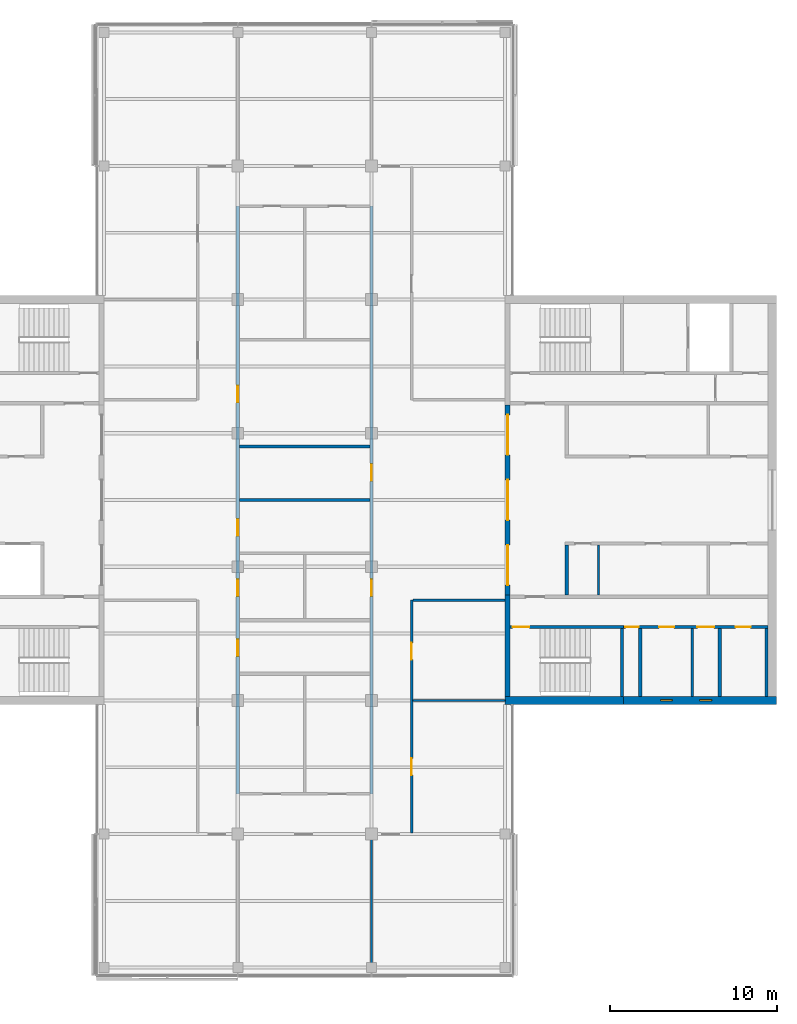
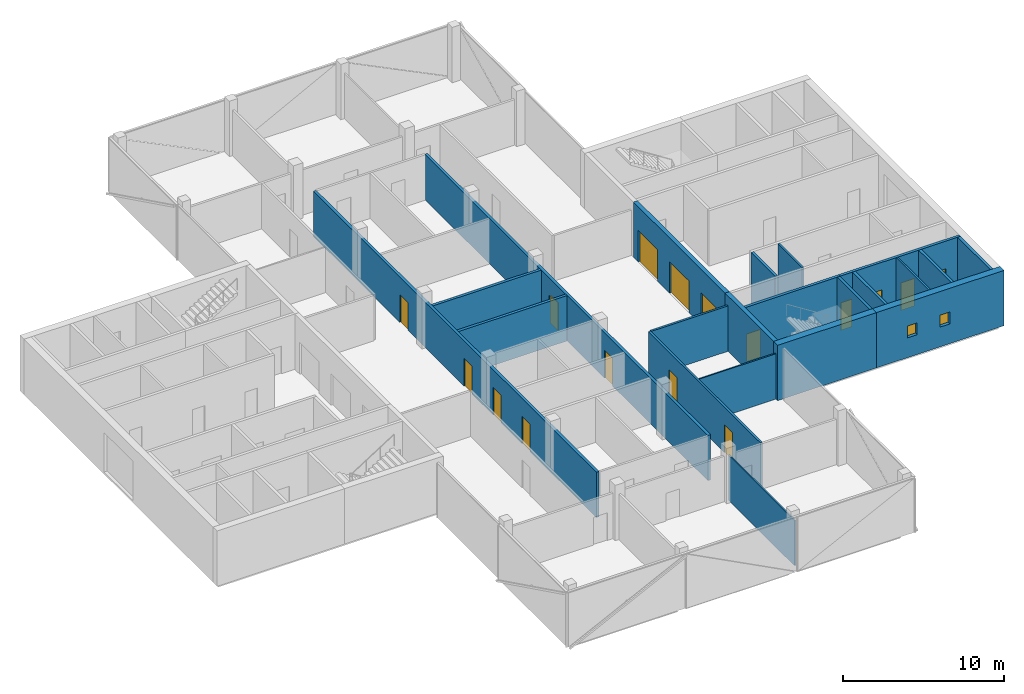
# One storey, part 10 of 16: 21 walls, 16 doors, 2 windows, 18 openings.
"""IFC4 building model written with IfcOpenShell, lengths in metres."""

from ifc_helpers import new_model, si_unit, direction, frame, frame_2d, origin, place, context, subcontext, project, spatial, rectangle, extrude, material, layer, layer_set, constituent, constituent_set, type_object, element, fill, save


model = new_model("IFC4")

# Units and contexts
model_context = context("Model", 3, precision=1e-05, world=origin(), true_north=direction((0.0, 1.0)))
body_context = subcontext(model_context, "Body", "Model", "MODEL_VIEW")
ifc_project = project(units=[si_unit("LENGTHUNIT", "METRE"), si_unit("AREAUNIT", "SQUARE_METRE"), si_unit("VOLUMEUNIT", "CUBIC_METRE"), si_unit("PLANEANGLEUNIT", "RADIAN"), si_unit("MASSUNIT", "GRAM", prefix="KILO")], contexts=[model_context])

# Site, building, storey
site_placement = place(None, origin())
site = spatial("IfcSite", under=ifc_project, at=site_placement, CompositionType="ELEMENT")
building_placement = place(site_placement, origin())
building = spatial("IfcBuilding", under=site, at=building_placement, Name="Crosswind Convention Tower", CompositionType="ELEMENT")
storey_placement = place(building_placement, frame((0.0, 0.0, 253.5)))
storey = spatial("IfcBuildingStorey", under=building, at=storey_placement, Name="L54", CompositionType="ELEMENT", Elevation=253.5)

# Wall
ifc_material_1 = material(Name="Concrete blockwork", Category="masonry")
ifc_layer_1 = layer(ifc_material_1, 0.199951171875)
ifc_layer_set_1 = layer_set([ifc_layer_1], Name="Blockwork partition wall 200")
wall_type_1 = type_object("IfcWallType", Name="Blockwork partition wall 200", PredefinedType="PARTITIONING", material=ifc_layer_set_1)
wall_1_placement = place(storey_placement, frame((145.10009765625, 88.25, 0.0), z_axis=(0.0, 0.0, 1.0), x_axis=(0.0, 1.0, 0.0)))
element("IfcWall", 1, at=wall_1_placement, inside=storey, type_object=wall_type_1, Name="Wall MRSE E L54", PredefinedType="PARTITIONING", context=body_context, shape_type="SweptSolid", body=[
    extrude(rectangle(XDim=4.050048828125, YDim=0.199951171875, at=frame_2d((2.02490234375, 0.0))), origin(), (0.0, 0.0, 1.0), 4.199951171875),
])

# Wall, openings, doors
ifc_layer_2 = layer(ifc_material_1, 0.199951171875)
ifc_layer_set_2 = layer_set([ifc_layer_2], Name="COMPARTMENT WALL 200 BLOCKWORK")
wall_type_2 = type_object("IfcWallType", Name="COMPARTMENT WALL 200 BLOCKWORK", PredefinedType="SOLIDWALL", material=ifc_layer_set_2)
wall_2_placement = place(storey_placement, frame((121.0, 82.39990234375, 0.0), z_axis=(0.0, 0.0, 1.0), x_axis=(0.0, 1.0, 0.0)))
wall_2 = element("IfcWall", 2, at=wall_2_placement, inside=storey, type_object=wall_type_2, Name="Compartment wall WT42", PredefinedType="SOLIDWALL", context=body_context, shape_type="SweptSolid", body=[
    extrude(rectangle(XDim=35.2001953125, YDim=0.199951171875, at=frame_2d((17.60009765625, 0.0))), origin(), (0.0, 0.0, 1.0), 3.44287109375),
])
opening_1_placement = place(wall_2_placement, frame((8.25, 0.0, 0.0)))
opening_1 = element("IfcOpeningElement", 3, at=opening_1_placement, cuts=wall_2, Name="Opening L54-64", PredefinedType="OPENING", context=body_context, shape_type="SweptSolid", body=[
    extrude(rectangle(XDim=1.0, YDim=2.10009765625, at=frame_2d((0.5, 1.050048828125))), frame((0.0, 0.10986328125, 0.0), z_axis=(0.0, -1.0, 0.0), x_axis=(1.0, 0.0, 0.0)), (0.0, 0.0, 1.0), 0.219970703125),
])
opening_2_placement = place(wall_2_placement, frame((11.85009765625, 0.0, 0.0)))
opening_2 = element("IfcOpeningElement", 4, at=opening_2_placement, cuts=wall_2, Name="Opening L54-65", PredefinedType="OPENING", context=body_context, shape_type="SweptSolid", body=[
    extrude(rectangle(XDim=1.0, YDim=2.10009765625, at=frame_2d((0.5, 1.050048828125))), frame((0.0, 0.10986328125, 0.0), z_axis=(0.0, -1.0, 0.0), x_axis=(1.0, 0.0, 0.0)), (0.0, 0.0, 1.0), 0.219970703125),
])
opening_3_placement = place(wall_2_placement, frame((15.449951171875, 0.0, 0.0)))
opening_3 = element("IfcOpeningElement", 5, at=opening_3_placement, cuts=wall_2, Name="Opening L54-67", PredefinedType="OPENING", context=body_context, shape_type="SweptSolid", body=[
    extrude(rectangle(XDim=1.0, YDim=2.10009765625, at=frame_2d((0.5, 1.050048828125))), frame((0.0, 0.10986328125, 0.0), z_axis=(0.0, -1.0, 0.0), x_axis=(1.0, 0.0, 0.0)), (0.0, 0.0, 1.0), 0.219970703125),
])
opening_4_placement = place(wall_2_placement, frame((23.449951171875, 0.0, 0.0)))
opening_4 = element("IfcOpeningElement", 6, at=opening_4_placement, cuts=wall_2, Name="Opening L54-69", PredefinedType="OPENING", context=body_context, shape_type="SweptSolid", body=[
    extrude(rectangle(XDim=1.0, YDim=2.10009765625, at=frame_2d((0.5, 1.050048828125))), frame((0.0, 0.10986328125, 0.0), z_axis=(0.0, -1.0, 0.0), x_axis=(1.0, 0.0, 0.0)), (0.0, 0.0, 1.0), 0.219970703125),
])
ifc_material_2 = material(Name="Steel fire door", Category="steel")
door_type_1 = type_object("IfcDoorType", Name="PLANT ROOM DOOR 1000X2100 FD60", OperationType="NOTDEFINED", PredefinedType="DOOR", material=ifc_material_2)
door_1_placement = place(opening_1_placement, frame((1.0, 0.0, 0.0), z_axis=(0.0, 0.0, 1.0), x_axis=(-1.0, 0.0, 0.0)))
door_1 = element("IfcDoor", 7, at=door_1_placement, inside=storey, type_object=door_type_1, Name="Door L54-64", ObjectType="D43", OperationType="SINGLE_SWING_RIGHT", OverallHeight=2.10009765625, OverallWidth=1.0, PredefinedType="DOOR", context=body_context, shape_type="SweptSolid", body=[
    extrude(rectangle(XDim=1.0, YDim=2.10009765625, at=frame_2d((0.5, 1.050048828125))), frame((0.0, 0.02490234375, 0.0), z_axis=(0.0, -1.0, 0.0), x_axis=(1.0, 0.0, 0.0)), (0.0, 0.0, 1.0), 0.050048828125),
])
fill(opening_1, door_1)
ifc_material_3 = material(Name="Timber fire door", Category="wood")
door_type_2 = type_object("IfcDoorType", Name="TENANCY ENTRANCE DOOR 1000X2100 FD30S", OperationType="NOTDEFINED", PredefinedType="DOOR", material=ifc_material_3)
door_2_placement = place(opening_2_placement, frame((1.0, 0.0, 0.0), z_axis=(0.0, 0.0, 1.0), x_axis=(-1.0, 0.0, 0.0)))
door_2 = element("IfcDoor", 8, at=door_2_placement, inside=storey, type_object=door_type_2, Name="Door L54-65", ObjectType="D41", OperationType="SINGLE_SWING_LEFT", OverallHeight=2.10009765625, OverallWidth=1.0, PredefinedType="DOOR", context=body_context, shape_type="SweptSolid", body=[
    extrude(rectangle(XDim=1.0, YDim=2.10009765625, at=frame_2d((0.5, 1.050048828125))), frame((0.0, 0.02490234375, 0.0), z_axis=(0.0, -1.0, 0.0), x_axis=(1.0, 0.0, 0.0)), (0.0, 0.0, 1.0), 0.050048828125),
])
fill(opening_2, door_2)
door_3_placement = place(opening_3_placement, frame((1.0, 0.0, 0.0), z_axis=(0.0, 0.0, 1.0), x_axis=(-1.0, 0.0, 0.0)))
door_3 = element("IfcDoor", 9, at=door_3_placement, inside=storey, type_object=door_type_2, Name="Door L54-67", ObjectType="D41", OperationType="SINGLE_SWING_RIGHT", OverallHeight=2.10009765625, OverallWidth=1.0, PredefinedType="DOOR", context=body_context, shape_type="SweptSolid", body=[
    extrude(rectangle(XDim=1.0, YDim=2.10009765625, at=frame_2d((0.5, 1.050048828125))), frame((0.0, 0.02490234375, 0.0), z_axis=(0.0, -1.0, 0.0), x_axis=(1.0, 0.0, 0.0)), (0.0, 0.0, 1.0), 0.050048828125),
])
fill(opening_3, door_3)
door_4_placement = place(opening_4_placement, origin())
door_4 = element("IfcDoor", 10, at=door_4_placement, inside=storey, type_object=door_type_2, Name="Door L54-69", ObjectType="D41", OperationType="SINGLE_SWING_LEFT", OverallHeight=2.10009765625, OverallWidth=1.0, PredefinedType="DOOR", context=body_context, shape_type="SweptSolid", body=[
    extrude(rectangle(XDim=1.0, YDim=2.10009765625, at=frame_2d((0.5, 1.050048828125))), frame((0.0, 0.02490234375, 0.0), z_axis=(0.0, -1.0, 0.0), x_axis=(1.0, 0.0, 0.0)), (0.0, 0.0, 1.0), 0.050048828125),
])
fill(opening_4, door_4)

wall_3_placement = place(storey_placement, frame((129.0, 82.39990234375, 0.0), z_axis=(0.0, 0.0, 1.0), x_axis=(0.0, 1.0, 0.0)))
wall_3 = element("IfcWall", 11, at=wall_3_placement, inside=storey, type_object=wall_type_2, Name="Compartment wall WT42", PredefinedType="SOLIDWALL", context=body_context, shape_type="SweptSolid", body=[
    extrude(rectangle(XDim=35.2001953125, YDim=0.199951171875, at=frame_2d((17.60009765625, 0.0))), origin(), (0.0, 0.0, 1.0), 3.44287109375),
])
opening_5_placement = place(wall_3_placement, frame((11.85009765625, 0.0, 0.0)))
opening_5 = element("IfcOpeningElement", 12, at=opening_5_placement, cuts=wall_3, Name="Opening L54-66", PredefinedType="OPENING", context=body_context, shape_type="SweptSolid", body=[
    extrude(rectangle(XDim=1.0, YDim=2.10009765625, at=frame_2d((0.5, 1.050048828125))), frame((0.0, 0.10986328125, 0.0), z_axis=(0.0, -1.0, 0.0), x_axis=(1.0, 0.0, 0.0)), (0.0, 0.0, 1.0), 0.219970703125),
])
opening_6_placement = place(wall_3_placement, frame((18.75, 0.0, 0.0)))
opening_6 = element("IfcOpeningElement", 13, at=opening_6_placement, cuts=wall_3, Name="Opening L54-68", PredefinedType="OPENING", context=body_context, shape_type="SweptSolid", body=[
    extrude(rectangle(XDim=1.0, YDim=2.10009765625, at=frame_2d((0.5, 1.050048828125))), frame((0.0, 0.10986328125, 0.0), z_axis=(0.0, -1.0, 0.0), x_axis=(1.0, 0.0, 0.0)), (0.0, 0.0, 1.0), 0.219970703125),
])
door_5_placement = place(opening_6_placement, origin())
door_5 = element("IfcDoor", 14, at=door_5_placement, inside=storey, type_object=door_type_1, Name="Door L54-68", ObjectType="D43", OperationType="SINGLE_SWING_RIGHT", OverallHeight=2.10009765625, OverallWidth=1.0, PredefinedType="DOOR", context=body_context, shape_type="SweptSolid", body=[
    extrude(rectangle(XDim=1.0, YDim=2.10009765625, at=frame_2d((0.5, 1.050048828125))), frame((0.0, 0.02490234375, 0.0), z_axis=(0.0, -1.0, 0.0), x_axis=(1.0, 0.0, 0.0)), (0.0, 0.0, 1.0), 0.050048828125),
])
fill(opening_6, door_5)
door_6_placement = place(opening_5_placement, origin())
door_6 = element("IfcDoor", 15, at=door_6_placement, inside=storey, type_object=door_type_2, Name="Door L54-66", ObjectType="D41", OperationType="SINGLE_SWING_RIGHT", OverallHeight=2.10009765625, OverallWidth=1.0, PredefinedType="DOOR", context=body_context, shape_type="SweptSolid", body=[
    extrude(rectangle(XDim=1.0, YDim=2.10009765625, at=frame_2d((0.5, 1.050048828125))), frame((0.0, 0.02490234375, 0.0), z_axis=(0.0, -1.0, 0.0), x_axis=(1.0, 0.0, 0.0)), (0.0, 0.0, 1.0), 0.050048828125),
])
fill(opening_5, door_6)

# Walls
for number, where, z_axis, x_axis, name in (
    (16, (121.10009765625, 100.0, 0.0), (0.0, 0.0, 1.0), (1.0, 0.0, 0.0), "Compartment wall WT42"),
    (17, (121.10009765625, 103.199951171875, 0.0), (0.0, 0.0, 1.0), (1.0, 0.0, 0.0), "Compartment wall WT42"),
):
    element("IfcWall", number, at=place(storey_placement, frame(where, z_axis=z_axis, x_axis=x_axis)), inside=storey, type_object=wall_type_2, Name=name, PredefinedType="SOLIDWALL", context=body_context, shape_type="SweptSolid", body=[
        extrude(rectangle(XDim=7.7998046875, YDim=0.199951171875, at=frame_2d((3.89990234375, 0.0))), origin(), (0.0, 0.0, 1.0), 3.44287109375),
    ])

# Wall, openings, doors
ifc_material_4 = material(Name="Concrete C50/60", Category="concrete")
ifc_layer_3 = layer(ifc_material_4, 0.300048828125)
ifc_layer_set_3 = layer_set([ifc_layer_3], Name="Concrete C50/60")
wall_type_3 = type_object("IfcWallType", Name="Concrete inner core wall 300", PredefinedType="SHEAR", material=ifc_layer_set_3)
wall_4_placement = place(storey_placement, frame((137.14990234375, 94.300048828125, 0.0), z_axis=(0.0, 0.0, 1.0), x_axis=(0.0, 1.0, 0.0)))
wall_4 = element("IfcWall", 18, at=wall_4_placement, inside=storey, type_object=wall_type_3, Name="Wall SCR E L54", PredefinedType="SHEAR", context=body_context, shape_type="SweptSolid", body=[
    extrude(rectangle(XDim=11.39990234375, YDim=0.300048828125, at=frame_2d((5.699951171875, 0.0))), origin(), (0.0, 0.0, 1.0), 4.199951171875),
])
opening_7_placement = place(wall_4_placement, frame((0.60009765625, 0.0, 0.0)))
opening_7 = element("IfcOpeningElement", 19, at=opening_7_placement, cuts=wall_4, Name="Opening D100", PredefinedType="OPENING", context=body_context, shape_type="SweptSolid", body=[
    extrude(rectangle(XDim=2.39990234375, YDim=2.39990234375, at=frame_2d((1.199951171875, 1.199951171875))), frame((0.0, 0.159912109375, 0.0), z_axis=(0.0, -1.0, 0.0), x_axis=(1.0, 0.0, 0.0)), (0.0, 0.0, 1.0), 0.320068359375),
])
opening_8_placement = place(wall_4_placement, frame((4.5, 0.0, 0.0)))
opening_8 = element("IfcOpeningElement", 20, at=opening_8_placement, cuts=wall_4, Name="Opening D100", PredefinedType="OPENING", context=body_context, shape_type="SweptSolid", body=[
    extrude(rectangle(XDim=2.39990234375, YDim=2.39990234375, at=frame_2d((1.199951171875, 1.199951171875))), frame((0.0, 0.159912109375, 0.0), z_axis=(0.0, -1.0, 0.0), x_axis=(1.0, 0.0, 0.0)), (0.0, 0.0, 1.0), 0.320068359375),
])
opening_9_placement = place(wall_4_placement, frame((8.39990234375, 0.0, 0.0)))
opening_9 = element("IfcOpeningElement", 21, at=opening_9_placement, cuts=wall_4, Name="Opening D100", PredefinedType="OPENING", context=body_context, shape_type="SweptSolid", body=[
    extrude(rectangle(XDim=2.39990234375, YDim=2.39990234375, at=frame_2d((1.199951171875, 1.199951171875))), frame((0.0, 0.159912109375, 0.0), z_axis=(0.0, -1.0, 0.0), x_axis=(1.0, 0.0, 0.0)), (0.0, 0.0, 1.0), 0.320068359375),
])
ifc_material_5 = material(Name="Steel fire door with glazed vision panels", Category="steel")
door_type_3 = type_object("IfcDoorType", Name="Fire-rated double door 2400x2400", OperationType="DOUBLE_DOOR_SINGLE_SWING", PredefinedType="DOOR", material=ifc_material_5)
door_7_placement = place(opening_7_placement, origin())
door_7 = element("IfcDoor", 22, at=door_7_placement, inside=storey, type_object=door_type_3, Name="Lobby door 1 L54", ObjectType="D100", OperationType="DOUBLE_DOOR_SINGLE_SWING", OverallHeight=2.39990234375, OverallWidth=2.39990234375, PredefinedType="DOOR", context=body_context, shape_type="SweptSolid", body=[
    extrude(rectangle(XDim=2.39990234375, YDim=2.39990234375, at=frame_2d((1.199951171875, 1.199951171875))), frame((0.0, 0.02490234375, 0.0), z_axis=(0.0, -1.0, 0.0), x_axis=(1.0, 0.0, 0.0)), (0.0, 0.0, 1.0), 0.050048828125),
])
fill(opening_7, door_7)
door_8_placement = place(opening_8_placement, origin())
door_8 = element("IfcDoor", 23, at=door_8_placement, inside=storey, type_object=door_type_3, Name="Lobby door 2 L54", ObjectType="D100", OperationType="DOUBLE_DOOR_SINGLE_SWING", OverallHeight=2.39990234375, OverallWidth=2.39990234375, PredefinedType="DOOR", context=body_context, shape_type="SweptSolid", body=[
    extrude(rectangle(XDim=2.39990234375, YDim=2.39990234375, at=frame_2d((1.199951171875, 1.199951171875))), frame((0.0, 0.02490234375, 0.0), z_axis=(0.0, -1.0, 0.0), x_axis=(1.0, 0.0, 0.0)), (0.0, 0.0, 1.0), 0.050048828125),
])
fill(opening_8, door_8)
door_9_placement = place(opening_9_placement, origin())
door_9 = element("IfcDoor", 24, at=door_9_placement, inside=storey, type_object=door_type_3, Name="Lobby door 3 L54", ObjectType="D100", OperationType="DOUBLE_DOOR_SINGLE_SWING", OverallHeight=2.39990234375, OverallWidth=2.39990234375, PredefinedType="DOOR", context=body_context, shape_type="SweptSolid", body=[
    extrude(rectangle(XDim=2.39990234375, YDim=2.39990234375, at=frame_2d((1.199951171875, 1.199951171875))), frame((0.0, 0.02490234375, 0.0), z_axis=(0.0, -1.0, 0.0), x_axis=(1.0, 0.0, 0.0)), (0.0, 0.0, 1.0), 0.050048828125),
])
fill(opening_9, door_9)

# Walls
wall_5_placement = place(storey_placement, frame((137.14990234375, 88.25, 0.0), z_axis=(0.0, 0.0, 1.0), x_axis=(0.0, 1.0, 0.0)))
element("IfcWall", 25, at=wall_5_placement, inside=storey, type_object=wall_type_3, Name="Wall EM E L54", PredefinedType="SHEAR", context=body_context, shape_type="SweptSolid", body=[
    extrude(rectangle(XDim=6.050048828125, YDim=0.300048828125, at=frame_2d((3.02490234375, 0.0))), origin(), (0.0, 0.0, 1.0), 4.199951171875),
])
ifc_layer_4 = layer(ifc_material_4, 0.199951171875)
ifc_layer_set_4 = layer_set([ifc_layer_4], Name="Concrete C50/60")
wall_type_4 = type_object("IfcWallType", Name="Concrete shaft and stair wall 200", PredefinedType="SHEAR", material=ifc_layer_set_4)
wall_6_placement = place(storey_placement, frame((140.699951171875, 94.300048828125, 0.0), z_axis=(0.0, 0.0, 1.0), x_axis=(0.0, 1.0, 0.0)))
element("IfcWall", 26, at=wall_6_placement, inside=storey, type_object=wall_type_4, Name="Wall RMEND E L54", PredefinedType="SHEAR", context=body_context, shape_type="SweptSolid", body=[
    extrude(rectangle(XDim=3.0, YDim=0.199951171875, at=frame_2d((1.5, 0.0))), origin(), (0.0, 0.0, 1.0), 4.199951171875),
])
for number, where, z_axis, x_axis, name in (
    (27, (144.0, 88.25, 0.0), (0.0, 0.0, 1.0), (0.0, 1.0, 0.0), "Wall MSE E L54"),
    (28, (149.85009765625, 88.25, 0.0), (0.0, 0.0, 1.0), (0.0, 1.0, 0.0), "Wall MFSW E L54"),
    (29, (152.64990234375, 88.25, 0.0), (0.0, 0.0, 1.0), (0.0, 1.0, 0.0), "Wall MFSE E L54"),
):
    element("IfcWall", number, at=place(storey_placement, frame(where, z_axis=z_axis, x_axis=x_axis)), inside=storey, type_object=wall_type_4, Name=name, PredefinedType="SHEAR", context=body_context, shape_type="SweptSolid", body=[
        extrude(rectangle(XDim=4.050048828125, YDim=0.199951171875, at=frame_2d((2.02490234375, 0.0))), origin(), (0.0, 0.0, 1.0), 4.199951171875),
    ])

# Wall, opening, door
wall_7_placement = place(storey_placement, frame((137.300048828125, 92.39990234375, 0.0), z_axis=(0.0, 0.0, 1.0), x_axis=(1.0, 0.0, 0.0)))
wall_7 = element("IfcWall", 30, at=wall_7_placement, inside=storey, type_object=wall_type_4, Name="Wall MCW E L54", PredefinedType="SHEAR", context=body_context, shape_type="SweptSolid", body=[
    extrude(rectangle(XDim=6.800048828125, YDim=0.199951171875, at=frame_2d((3.39990234375, 0.0))), origin(), (0.0, 0.0, 1.0), 4.199951171875),
])
opening_10_placement = place(wall_7_placement, frame((0.14990234375, 0.0, 0.0)))
opening_10 = element("IfcOpeningElement", 31, at=opening_10_placement, cuts=wall_7, Name="Opening D103", PredefinedType="OPENING", context=body_context, shape_type="SweptSolid", body=[
    extrude(rectangle(XDim=1.0, YDim=2.10009765625, at=frame_2d((0.5, 1.050048828125))), frame((0.0, 0.10986328125, 0.0), z_axis=(0.0, -1.0, 0.0), x_axis=(1.0, 0.0, 0.0)), (0.0, 0.0, 1.0), 0.219970703125),
])
door_type_4 = type_object("IfcDoorType", Name="Fire-rated single door 1000x2100", OperationType="NOTDEFINED", PredefinedType="DOOR", material=ifc_material_2)
door_10_placement = place(opening_10_placement, frame((1.0, 0.0, 0.0), z_axis=(0.0, 0.0, 1.0), x_axis=(-1.0, 0.0, 0.0)))
door_10 = element("IfcDoor", 32, at=door_10_placement, inside=storey, type_object=door_type_4, Name="Stair ST2 door L54", ObjectType="D103", OperationType="SINGLE_SWING_RIGHT", OverallHeight=2.10009765625, OverallWidth=1.0, PredefinedType="DOOR", context=body_context, shape_type="SweptSolid", body=[
    extrude(rectangle(XDim=1.0, YDim=2.10009765625, at=frame_2d((0.5, 1.050048828125))), frame((0.0, 0.02490234375, 0.0), z_axis=(0.0, -1.0, 0.0), x_axis=(1.0, 0.0, 0.0)), (0.0, 0.0, 1.0), 0.050048828125),
])
fill(opening_10, door_10)

# Wall, openings, doors
wall_8_placement = place(storey_placement, frame((144.10009765625, 92.39990234375, 0.0), z_axis=(0.0, 0.0, 1.0), x_axis=(1.0, 0.0, 0.0)))
wall_8 = element("IfcWall", 33, at=wall_8_placement, inside=storey, type_object=wall_type_4, Name="Wall MCX E L54", PredefinedType="SHEAR", context=body_context, shape_type="SweptSolid", body=[
    extrude(rectangle(XDim=8.64990234375, YDim=0.199951171875, at=frame_2d((4.324951171875, 0.0))), origin(), (0.0, 0.0, 1.0), 4.199951171875),
])
opening_11_placement = place(wall_8_placement, frame((0.10009765625, 0.0, 0.0)))
opening_11 = element("IfcOpeningElement", 34, at=opening_11_placement, cuts=wall_8, Name="Opening D105", PredefinedType="OPENING", context=body_context, shape_type="SweptSolid", body=[
    extrude(rectangle(XDim=0.800048828125, YDim=2.10009765625, at=frame_2d((0.39990234375, 1.050048828125))), frame((0.0, 0.10986328125, 0.0), z_axis=(0.0, -1.0, 0.0), x_axis=(1.0, 0.0, 0.0)), (0.0, 0.0, 1.0), 0.219970703125),
])
opening_12_placement = place(wall_8_placement, frame((2.120361328125, 0.0, 0.0)))
opening_12 = element("IfcOpeningElement", 35, at=opening_12_placement, cuts=wall_8, Name="Opening D106", PredefinedType="OPENING", context=body_context, shape_type="SweptSolid", body=[
    extrude(rectangle(XDim=0.89990234375, YDim=2.10009765625, at=frame_2d((0.449951171875, 1.050048828125))), frame((0.0, 0.10986328125, 0.0), z_axis=(0.0, -1.0, 0.0), x_axis=(1.0, 0.0, 0.0)), (0.0, 0.0, 1.0), 0.219970703125),
])
opening_13_placement = place(wall_8_placement, frame((4.40771484375, 0.0, 0.0)))
opening_13 = element("IfcOpeningElement", 36, at=opening_13_placement, cuts=wall_8, Name="Opening D103", PredefinedType="OPENING", context=body_context, shape_type="SweptSolid", body=[
    extrude(rectangle(XDim=1.0, YDim=2.10009765625, at=frame_2d((0.5, 1.050048828125))), frame((0.0, 0.10986328125, 0.0), z_axis=(0.0, -1.0, 0.0), x_axis=(1.0, 0.0, 0.0)), (0.0, 0.0, 1.0), 0.219970703125),
])
opening_14_placement = place(wall_8_placement, frame((6.699951171875, 0.0, 0.0)))
opening_14 = element("IfcOpeningElement", 37, at=opening_14_placement, cuts=wall_8, Name="Opening D106", PredefinedType="OPENING", context=body_context, shape_type="SweptSolid", body=[
    extrude(rectangle(XDim=0.89990234375, YDim=2.10009765625, at=frame_2d((0.449951171875, 1.050048828125))), frame((0.0, 0.10986328125, 0.0), z_axis=(0.0, -1.0, 0.0), x_axis=(1.0, 0.0, 0.0)), (0.0, 0.0, 1.0), 0.219970703125),
])
door_11_placement = place(opening_13_placement, frame((1.0, 0.0, 0.0), z_axis=(0.0, 0.0, 1.0), x_axis=(-1.0, 0.0, 0.0)))
door_11 = element("IfcDoor", 38, at=door_11_placement, inside=storey, type_object=door_type_4, Name="Door to accessible wc L54", ObjectType="D103", OperationType="SINGLE_SWING_LEFT", OverallHeight=2.10009765625, OverallWidth=1.0, PredefinedType="DOOR", context=body_context, shape_type="SweptSolid", body=[
    extrude(rectangle(XDim=1.0, YDim=2.10009765625, at=frame_2d((0.5, 1.050048828125))), frame((0.0, 0.02490234375, 0.0), z_axis=(0.0, -1.0, 0.0), x_axis=(1.0, 0.0, 0.0)), (0.0, 0.0, 1.0), 0.050048828125),
])
fill(opening_13, door_11)
door_type_5 = type_object("IfcDoorType", Name="Riser access door 800x2100", OperationType="NOTDEFINED", PredefinedType="DOOR", material=ifc_material_2)
door_12_placement = place(opening_11_placement, frame((0.800048828125, 0.0, 0.0), z_axis=(0.0, 0.0, 1.0), x_axis=(-1.0, 0.0, 0.0)))
door_12 = element("IfcDoor", 39, at=door_12_placement, inside=storey, type_object=door_type_5, Name="Riser door L54", ObjectType="D105", OperationType="SINGLE_SWING_LEFT", OverallHeight=2.10009765625, OverallWidth=0.800048828125, PredefinedType="DOOR", context=body_context, shape_type="SweptSolid", body=[
    extrude(rectangle(XDim=0.800048828125, YDim=2.10009765625, at=frame_2d((0.39990234375, 1.050048828125))), frame((0.0, 0.02490234375, 0.0), z_axis=(0.0, -1.0, 0.0), x_axis=(1.0, 0.0, 0.0)), (0.0, 0.0, 1.0), 0.050048828125),
])
fill(opening_11, door_12)
ifc_material_6 = material(Name="Timber door", Category="wood")
door_type_6 = type_object("IfcDoorType", Name="Single leaf door 900x2100", OperationType="NOTDEFINED", PredefinedType="DOOR", material=ifc_material_6)
door_13_placement = place(opening_12_placement, frame((0.89990234375, 0.0, 0.0), z_axis=(0.0, 0.0, 1.0), x_axis=(-1.0, 0.0, 0.0)))
door_13 = element("IfcDoor", 40, at=door_13_placement, inside=storey, type_object=door_type_6, Name="Door to wc L54", ObjectType="D106", OperationType="SINGLE_SWING_LEFT", OverallHeight=2.10009765625, OverallWidth=0.89990234375, PredefinedType="DOOR", context=body_context, shape_type="SweptSolid", body=[
    extrude(rectangle(XDim=0.89990234375, YDim=2.10009765625, at=frame_2d((0.449951171875, 1.050048828125))), frame((0.0, 0.02490234375, 0.0), z_axis=(0.0, -1.0, 0.0), x_axis=(1.0, 0.0, 0.0)), (0.0, 0.0, 1.0), 0.050048828125),
])
fill(opening_12, door_13)
door_14_placement = place(opening_14_placement, frame((0.89990234375, 0.0, 0.0), z_axis=(0.0, 0.0, 1.0), x_axis=(-1.0, 0.0, 0.0)))
door_14 = element("IfcDoor", 41, at=door_14_placement, inside=storey, type_object=door_type_6, Name="Door to accessible wc L54", ObjectType="D106", OperationType="SINGLE_SWING_LEFT", OverallHeight=2.10009765625, OverallWidth=0.89990234375, PredefinedType="DOOR", context=body_context, shape_type="SweptSolid", body=[
    extrude(rectangle(XDim=0.89990234375, YDim=2.10009765625, at=frame_2d((0.449951171875, 1.050048828125))), frame((0.0, 0.02490234375, 0.0), z_axis=(0.0, -1.0, 0.0), x_axis=(1.0, 0.0, 0.0)), (0.0, 0.0, 1.0), 0.050048828125),
])
fill(opening_14, door_14)

# Walls
ifc_material_7 = material(Name="Gypsum plasterboard partition", Category="gypsum")
ifc_layer_5 = layer(ifc_material_7, 0.125)
ifc_layer_set_5 = layer_set([ifc_layer_5], Name="Drywall partition wall 125")
wall_type_5 = type_object("IfcWallType", Name="Drywall partition wall 125", PredefinedType="PARTITIONING", material=ifc_layer_set_5)
wall_9_placement = place(storey_placement, frame((142.592529296875, 94.300048828125, 0.0), z_axis=(0.0, 0.0, 1.0), x_axis=(0.0, 1.0, 0.0)))
element("IfcWall", 42, at=wall_9_placement, inside=storey, type_object=wall_type_5, Name="Wall RMP1 E L54", PredefinedType="PARTITIONING", context=body_context, shape_type="SweptSolid", body=[
    extrude(rectangle(XDim=3.0, YDim=0.125, at=frame_2d((1.5, 0.0))), origin(), (0.0, 0.0, 1.0), 4.199951171875),
])
wall_10_placement = place(storey_placement, frame((148.202880859375, 88.25, 0.0), z_axis=(0.0, 0.0, 1.0), x_axis=(0.0, 1.0, 0.0)))
element("IfcWall", 43, at=wall_10_placement, inside=storey, type_object=wall_type_5, Name="Wall MWP1 E L54", PredefinedType="PARTITIONING", context=body_context, shape_type="SweptSolid", body=[
    extrude(rectangle(XDim=4.050048828125, YDim=0.125, at=frame_2d((2.02490234375, 0.0))), origin(), (0.0, 0.0, 1.0), 4.199951171875),
])
ifc_material_8 = material(Name="Plasterboard partition", Category="gypsum")
ifc_layer_6 = layer(ifc_material_8, 0.10009765625)
ifc_layer_set_6 = layer_set([ifc_layer_6], Name="PARTITION 100 METAL STUD")
wall_type_6 = type_object("IfcWallType", Name="PARTITION 100 METAL STUD", PredefinedType="PARTITIONING", material=ifc_layer_set_6)
wall_11_placement = place(storey_placement, frame((129.0, 71.72998046875, 0.0), z_axis=(0.0, 0.0, 1.0), x_axis=(0.0, 1.0, 0.0)))
element("IfcWall", 44, at=wall_11_placement, inside=storey, type_object=wall_type_6, Name="Partition wall WT40", PredefinedType="PARTITIONING", context=body_context, shape_type="SweptSolid", body=[
    extrude(rectangle(XDim=8.195068359375, YDim=0.10009765625, at=frame_2d((4.09765625, 0.0))), origin(), (0.0, 0.0, 1.0), 3.44287109375),
])
wall_12_placement = place(storey_placement, frame((131.47509765625, 88.0, 0.0), z_axis=(0.0, 0.0, 1.0), x_axis=(1.0, 0.0, 0.0)))
element("IfcWall", 45, at=wall_12_placement, inside=storey, type_object=wall_type_6, Name="Partition wall WT40", PredefinedType="PARTITIONING", context=body_context, shape_type="SweptSolid", body=[
    extrude(rectangle(XDim=5.52490234375, YDim=0.10009765625, at=frame_2d((2.762451171875, 0.0))), origin(), (0.0, 0.0, 1.0), 3.44287109375),
])

# Wall, openings, doors
ifc_material_9 = material(Name="Fire-board partition with mineral wool", Category="gypsum")
ifc_layer_7 = layer(ifc_material_9, 0.14990234375)
ifc_layer_set_7 = layer_set([ifc_layer_7], Name="TENANCY WALL 150 TWO-HOUR BOARD")
wall_type_7 = type_object("IfcWallType", Name="TENANCY WALL 150 TWO-HOUR BOARD", PredefinedType="PARTITIONING", material=ifc_layer_set_7)
wall_13_placement = place(storey_placement, frame((131.39990234375, 80.074951171875, 0.0), z_axis=(0.0, 0.0, 1.0), x_axis=(0.0, 1.0, 0.0)))
wall_13 = element("IfcWall", 46, at=wall_13_placement, inside=storey, type_object=wall_type_7, Name="Tenancy wall WT41", PredefinedType="PARTITIONING", context=body_context, shape_type="SweptSolid", body=[
    extrude(rectangle(XDim=13.925048828125, YDim=0.14990234375, at=frame_2d((6.96240234375, 0.0))), origin(), (0.0, 0.0, 1.0), 3.44287109375),
])
opening_15_placement = place(wall_13_placement, frame((10.375, 0.0, 0.0)))
opening_15 = element("IfcOpeningElement", 47, at=opening_15_placement, cuts=wall_13, Name="Opening L54-51", PredefinedType="OPENING", context=body_context, shape_type="SweptSolid", body=[
    extrude(rectangle(XDim=1.0, YDim=2.10009765625, at=frame_2d((0.5, 1.050048828125))), frame((0.0, 0.0849609375, 0.0), z_axis=(0.0, -1.0, 0.0), x_axis=(1.0, 0.0, 0.0)), (0.0, 0.0, 1.0), 0.169921875),
])
opening_16_placement = place(wall_13_placement, frame((3.449951171875, 0.0, 0.0)))
opening_16 = element("IfcOpeningElement", 48, at=opening_16_placement, cuts=wall_13, Name="Opening L54-52", PredefinedType="OPENING", context=body_context, shape_type="SweptSolid", body=[
    extrude(rectangle(XDim=1.0, YDim=2.10009765625, at=frame_2d((0.5, 1.050048828125))), frame((0.0, 0.0849609375, 0.0), z_axis=(0.0, -1.0, 0.0), x_axis=(1.0, 0.0, 0.0)), (0.0, 0.0, 1.0), 0.169921875),
])
door_15_placement = place(opening_15_placement, frame((1.0, 0.0, 0.0), z_axis=(0.0, 0.0, 1.0), x_axis=(-1.0, 0.0, 0.0)))
door_15 = element("IfcDoor", 49, at=door_15_placement, inside=storey, type_object=door_type_2, Name="Door L54-51", ObjectType="D41", OperationType="SINGLE_SWING_RIGHT", OverallHeight=2.10009765625, OverallWidth=1.0, PredefinedType="DOOR", context=body_context, shape_type="SweptSolid", body=[
    extrude(rectangle(XDim=1.0, YDim=2.10009765625, at=frame_2d((0.5, 1.050048828125))), frame((0.0, 0.02490234375, 0.0), z_axis=(0.0, -1.0, 0.0), x_axis=(1.0, 0.0, 0.0)), (0.0, 0.0, 1.0), 0.050048828125),
])
fill(opening_15, door_15)
door_16_placement = place(opening_16_placement, frame((1.0, 0.0, 0.0), z_axis=(0.0, 0.0, 1.0), x_axis=(-1.0, 0.0, 0.0)))
door_16 = element("IfcDoor", 50, at=door_16_placement, inside=storey, type_object=door_type_2, Name="Door L54-52", ObjectType="D41", OperationType="SINGLE_SWING_LEFT", OverallHeight=2.10009765625, OverallWidth=1.0, PredefinedType="DOOR", context=body_context, shape_type="SweptSolid", body=[
    extrude(rectangle(XDim=1.0, YDim=2.10009765625, at=frame_2d((0.5, 1.050048828125))), frame((0.0, 0.02490234375, 0.0), z_axis=(0.0, -1.0, 0.0), x_axis=(1.0, 0.0, 0.0)), (0.0, 0.0, 1.0), 0.050048828125),
])
fill(opening_16, door_16)

# Walls
wall_14_placement = place(storey_placement, frame((131.47509765625, 94.0, 0.0), z_axis=(0.0, 0.0, 1.0), x_axis=(1.0, 0.0, 0.0)))
element("IfcWall", 51, at=wall_14_placement, inside=storey, type_object=wall_type_7, Name="Tenancy wall WT41", PredefinedType="PARTITIONING", context=body_context, shape_type="SweptSolid", body=[
    extrude(rectangle(XDim=5.52490234375, YDim=0.14990234375, at=frame_2d((2.762451171875, 0.0))), origin(), (0.0, 0.0, 1.0), 3.44287109375),
])
ifc_material_10 = material(Name="Concrete C60/75", Category="concrete")
ifc_constituent_1 = constituent(ifc_material_10, Name="Structure")
ifc_material_11 = material(Name="Terracotta rainscreen", Category="ceramic")
ifc_constituent_2 = constituent(ifc_material_11, Name="Facing")
ifc_constituent_set = constituent_set(constituents=[ifc_constituent_1, ifc_constituent_2], Name="Concrete C60/75, Terracotta rainscreen")
wall_type_8 = type_object("IfcWallType", Name="Terracotta rainscreen on concrete core wall 500", PredefinedType="SHEAR", material=ifc_constituent_set)
wall_15_placement = place(storey_placement, frame((137.0, 88.0, 0.0), z_axis=(0.0, 0.0, 1.0), x_axis=(1.0, 0.0, 0.0)))
element("IfcWall", 52, at=wall_15_placement, inside=storey, type_object=wall_type_8, Name="Wall S1 E L54", PredefinedType="SHEAR", context=body_context, shape_type="SweptSolid", body=[
    extrude(rectangle(XDim=7.10009765625, YDim=0.5, at=frame_2d((3.550048828125, 0.0))), origin(), (0.0, 0.0, 1.0), 4.199951171875),
])

# Wall, openings, windows
wall_16_placement = place(storey_placement, frame((144.10009765625, 88.0, 0.0), z_axis=(0.0, 0.0, 1.0), x_axis=(1.0, 0.0, 0.0)))
wall_16 = element("IfcWall", 53, at=wall_16_placement, inside=storey, type_object=wall_type_8, Name="Wall S2 E L54", PredefinedType="SHEAR", context=body_context, shape_type="SweptSolid", body=[
    extrude(rectangle(XDim=9.14990234375, YDim=0.5, at=frame_2d((4.574951171875, 0.0))), origin(), (0.0, 0.0, 1.0), 4.199951171875),
])
opening_17_placement = place(wall_16_placement, frame((2.22021484375, 0.0, 1.5)))
opening_17 = element("IfcOpeningElement", 54, at=opening_17_placement, cuts=wall_16, Name="Opening W2", PredefinedType="OPENING", context=body_context, shape_type="SweptSolid", body=[
    extrude(rectangle(XDim=0.699951171875, YDim=0.89990234375, at=frame_2d((0.35009765625, 0.449951171875))), frame((0.0, 0.260009765625, 0.0), z_axis=(0.0, -1.0, 0.0), x_axis=(1.0, 0.0, 0.0)), (0.0, 0.0, 1.0), 0.52001953125),
])
opening_18_placement = place(wall_16_placement, frame((4.557861328125, 0.0, 1.5)))
opening_18 = element("IfcOpeningElement", 55, at=opening_18_placement, cuts=wall_16, Name="Opening W2", PredefinedType="OPENING", context=body_context, shape_type="SweptSolid", body=[
    extrude(rectangle(XDim=0.699951171875, YDim=0.89990234375, at=frame_2d((0.35009765625, 0.449951171875))), frame((0.0, 0.260009765625, 0.0), z_axis=(0.0, -1.0, 0.0), x_axis=(1.0, 0.0, 0.0)), (0.0, 0.0, 1.0), 0.52001953125),
])
ifc_material_12 = material(Name="Obscure glass in aluminium frame", Category="aluminium")
window_type = type_object("IfcWindowType", Name="WC window 700x900", PartitioningType="SINGLE_PANEL", PredefinedType="WINDOW", material=ifc_material_12)
window_1_placement = place(opening_17_placement, origin())
window_1 = element("IfcWindow", 56, at=window_1_placement, inside=storey, type_object=window_type, Name="WC window L54", ObjectType="W2", OverallHeight=0.89990234375, OverallWidth=0.699951171875, PartitioningType="SINGLE_PANEL", PredefinedType="WINDOW", context=body_context, shape_type="SweptSolid", body=[
    extrude(rectangle(XDim=0.699951171875, YDim=0.89990234375, at=frame_2d((0.35009765625, 0.449951171875))), frame((0.0, 0.030029296875, 0.0), z_axis=(0.0, -1.0, 0.0), x_axis=(1.0, 0.0, 0.0)), (0.0, 0.0, 1.0), 0.06005859375),
])
fill(opening_17, window_1)
window_2_placement = place(opening_18_placement, origin())
window_2 = element("IfcWindow", 57, at=window_2_placement, inside=storey, type_object=window_type, Name="WC window L54", ObjectType="W2", OverallHeight=0.89990234375, OverallWidth=0.699951171875, PartitioningType="SINGLE_PANEL", PredefinedType="WINDOW", context=body_context, shape_type="SweptSolid", body=[
    extrude(rectangle(XDim=0.699951171875, YDim=0.89990234375, at=frame_2d((0.35009765625, 0.449951171875))), frame((0.0, 0.030029296875, 0.0), z_axis=(0.0, -1.0, 0.0), x_axis=(1.0, 0.0, 0.0)), (0.0, 0.0, 1.0), 0.06005859375),
])
fill(opening_18, window_2)

save(model, "model.ifc")
